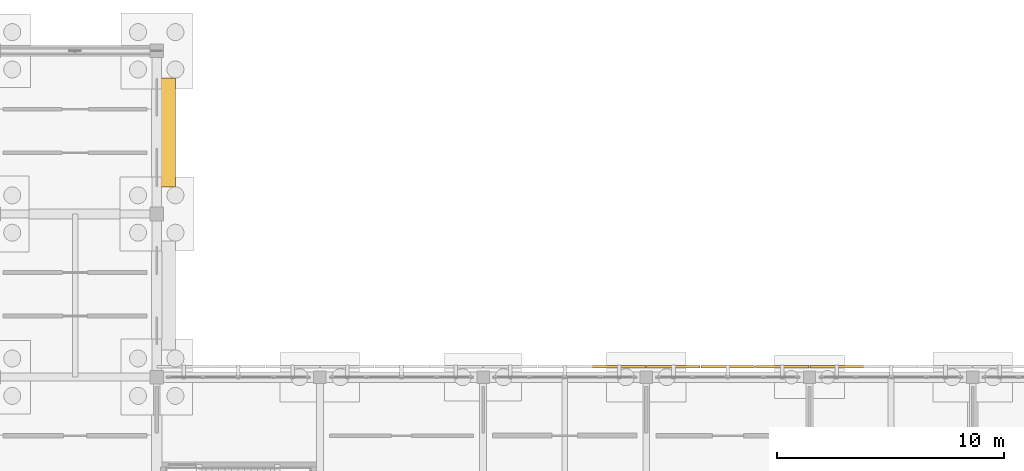
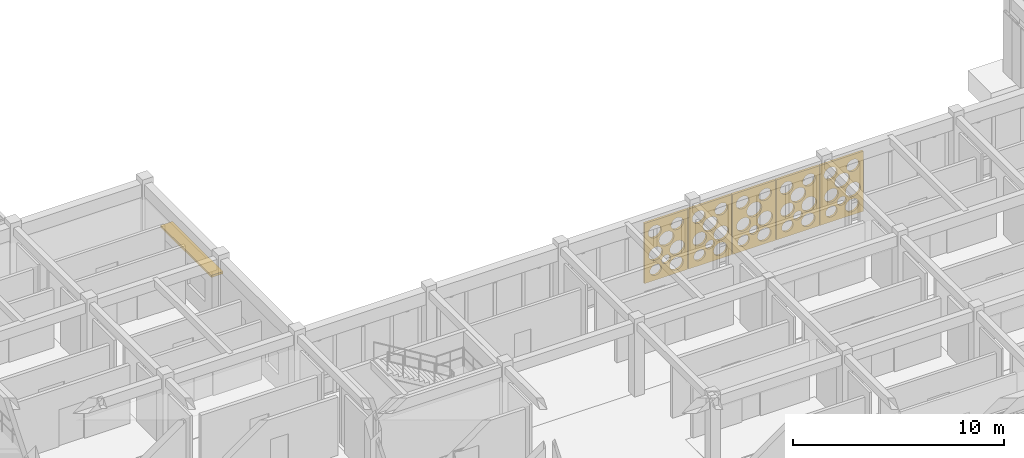
# One storey, part 104 of 111: 5 coverings, 1 shading device.
"""IFC4 building model written with IfcOpenShell, lengths in metres."""

from ifc_helpers import new_model, si_unit, direction, frame, origin, origin_2d, place, context, subcontext, project, spatial, polyline, rectangle, outline, extrude, material, layer, layer_set, type_object, element, save


model = new_model("IFC4")

# Units and contexts
model_context = context("Model", 3, precision=1e-05, world=origin(), true_north=direction((0.0, 1.0)))
body_context = subcontext(model_context, "Body", "Model", "MODEL_VIEW")
ifc_project = project(units=[si_unit("LENGTHUNIT", "METRE"), si_unit("AREAUNIT", "SQUARE_METRE"), si_unit("VOLUMEUNIT", "CUBIC_METRE"), si_unit("PLANEANGLEUNIT", "RADIAN"), si_unit("MASSUNIT", "GRAM", prefix="KILO")], contexts=[model_context])

# Site, building, storey
site_placement = place(None, origin())
site = spatial("IfcSite", under=ifc_project, at=site_placement, CompositionType="ELEMENT")
building_placement = place(site_placement, origin())
building = spatial("IfcBuilding", under=site, at=building_placement, Name="Aldebral Square Health Centre", CompositionType="ELEMENT")
storey_placement = place(building_placement, origin())
storey = spatial("IfcBuildingStorey", under=building, at=storey_placement, Name="L00", CompositionType="ELEMENT", Elevation=0.0)

# Coverings
ifc_material_1 = material(Name="Cream cantera perforated stone screen", Category="masonry")
ifc_layer = layer(ifc_material_1, 0.1201171875, Name="Cream cantera perforated stone screen", Category="masonry")
ifc_layer_set = layer_set([ifc_layer], Name="Cream cantera perforated stone screen")
covering_type = type_object("IfcCoveringType", Name="COV-SCR-120", PredefinedType="CLADDING", material=ifc_layer_set)
covering_1_placement = place(storey_placement, frame((86.3798828125, 101.260009765625, 0.0), z_axis=(0.0, 0.0, 1.0), x_axis=(-1.0, 0.0, 0.0)))
element("IfcCovering", 1, at=covering_1_placement, inside=storey, type_object=covering_type, Name="L00 V1 circular-aperture stone screen L00-V1-11-13-N.1", PredefinedType="CLADDING", context=body_context, shape_type="SweptSolid", body=[
    extrude(outline(polyline([(0.0, 0.0), (2.35986328125, 0.0), (2.35986328125, 3.469970703125), (0.0, 3.469970703125), (0.0, 0.0)]), holes=[polyline([(0.98486328125, 0.55517578125), (0.966552734375, 0.4404296875), (0.913818359375, 0.3369140625), (0.831787109375, 0.2548828125), (0.728271484375, 0.2021484375), (0.613525390625, 0.18408203125), (0.498779296875, 0.2021484375), (0.3955078125, 0.2548828125), (0.313232421875, 0.3369140625), (0.260498046875, 0.4404296875), (0.242431640625, 0.55517578125), (0.260498046875, 0.669921875), (0.313232421875, 0.7734375), (0.3955078125, 0.85546875), (0.498779296875, 0.908203125), (0.613525390625, 0.926513671875), (0.728271484375, 0.908203125), (0.831787109375, 0.85546875), (0.913818359375, 0.7734375), (0.966552734375, 0.669921875), (0.98486328125, 0.55517578125)]), polyline([(2.059326171875, 0.58984375), (2.0439453125, 0.4931640625), (1.99951171875, 0.406005859375), (1.930419921875, 0.336669921875), (1.843017578125, 0.292236328125), (1.746337890625, 0.277099609375), (1.649658203125, 0.292236328125), (1.5625, 0.336669921875), (1.4931640625, 0.406005859375), (1.44873046875, 0.4931640625), (1.43359375, 0.58984375), (1.44873046875, 0.6865234375), (1.4931640625, 0.77392578125), (1.5625, 0.843017578125), (1.649658203125, 0.887451171875), (1.746337890625, 0.90283203125), (1.843017578125, 0.887451171875), (1.930419921875, 0.843017578125), (1.99951171875, 0.77392578125), (2.0439453125, 0.6865234375), (2.059326171875, 0.58984375)]), polyline([(0.970703125, 1.45751953125), (0.950927734375, 1.33251953125), (0.8935546875, 1.2197265625), (0.803955078125, 1.13037109375), (0.69140625, 1.072998046875), (0.56640625, 1.052978515625), (0.44140625, 1.072998046875), (0.328857421875, 1.13037109375), (0.2392578125, 1.2197265625), (0.181884765625, 1.33251953125), (0.162109375, 1.45751953125), (0.181884765625, 1.582275390625), (0.2392578125, 1.695068359375), (0.328857421875, 1.784423828125), (0.44140625, 1.841796875), (0.56640625, 1.86181640625), (0.69140625, 1.841796875), (0.803955078125, 1.784423828125), (0.8935546875, 1.695068359375), (0.950927734375, 1.582275390625), (0.970703125, 1.45751953125)]), polyline([(2.124267578125, 1.52685546875), (2.105712890625, 1.41015625), (2.052001953125, 1.3046875), (1.968505859375, 1.22119140625), (1.863037109375, 1.16748046875), (1.746337890625, 1.14892578125), (1.629638671875, 1.16748046875), (1.5244140625, 1.22119140625), (1.440673828125, 1.3046875), (1.38720703125, 1.41015625), (1.36865234375, 1.52685546875), (1.38720703125, 1.6435546875), (1.440673828125, 1.748779296875), (1.5244140625, 1.83251953125), (1.629638671875, 1.88623046875), (1.746337890625, 1.904541015625), (1.863037109375, 1.88623046875), (1.968505859375, 1.83251953125), (2.052001953125, 1.748779296875), (2.105712890625, 1.6435546875), (2.124267578125, 1.52685546875)]), polyline([(1.42431640625, 1.00634765625), (1.412353515625, 0.9306640625), (1.377685546875, 0.862548828125), (1.32373046875, 0.80859375), (1.255615234375, 0.77392578125), (1.179931640625, 0.761962890625), (1.1044921875, 0.77392578125), (1.036376953125, 0.80859375), (0.982177734375, 0.862548828125), (0.947509765625, 0.9306640625), (0.935546875, 1.00634765625), (0.947509765625, 1.081787109375), (0.982177734375, 1.14990234375), (1.036376953125, 1.2041015625), (1.1044921875, 1.23876953125), (1.179931640625, 1.250732421875), (1.255615234375, 1.23876953125), (1.32373046875, 1.2041015625), (1.377685546875, 1.14990234375), (1.412353515625, 1.081787109375), (1.42431640625, 1.00634765625)]), polyline([(1.563232421875, 2.18603515625), (1.54345703125, 2.060302734375), (1.485595703125, 1.947021484375), (1.3955078125, 1.85693359375), (1.2822265625, 1.799072265625), (1.156494140625, 1.779296875), (1.03076171875, 1.799072265625), (0.917236328125, 1.85693359375), (0.8271484375, 1.947021484375), (0.76953125, 2.060302734375), (0.74951171875, 2.18603515625), (0.76953125, 2.311767578125), (0.8271484375, 2.42529296875), (0.917236328125, 2.515380859375), (1.03076171875, 2.572998046875), (1.156494140625, 2.593017578125), (1.2822265625, 2.572998046875), (1.3955078125, 2.515380859375), (1.485595703125, 2.42529296875), (1.54345703125, 2.311767578125), (1.563232421875, 2.18603515625)]), polyline([(0.9091796875, 2.845458984375), (0.892333984375, 2.739501953125), (0.84375, 2.64404296875), (0.767822265625, 2.568115234375), (0.67236328125, 2.51953125), (0.56640625, 2.502685546875), (0.46044921875, 2.51953125), (0.364990234375, 2.568115234375), (0.2890625, 2.64404296875), (0.240478515625, 2.739501953125), (0.2236328125, 2.845458984375), (0.240478515625, 2.951416015625), (0.2890625, 3.046875), (0.364990234375, 3.12255859375), (0.46044921875, 3.17138671875), (0.56640625, 3.18798828125), (0.67236328125, 3.17138671875), (0.767822265625, 3.12255859375), (0.84375, 3.046875), (0.892333984375, 2.951416015625), (0.9091796875, 2.845458984375)]), polyline([(2.1513671875, 2.810791015625), (2.1337890625, 2.7001953125), (2.0830078125, 2.600341796875), (2.00390625, 2.521240234375), (1.904052734375, 2.470458984375), (1.793701171875, 2.452880859375), (1.68310546875, 2.470458984375), (1.583251953125, 2.521240234375), (1.504150390625, 2.600341796875), (1.453369140625, 2.7001953125), (1.435791015625, 2.810791015625), (1.453369140625, 2.921142578125), (1.504150390625, 3.02099609375), (1.583251953125, 3.10009765625), (1.68310546875, 3.15087890625), (1.793701171875, 3.16845703125), (1.904052734375, 3.15087890625), (2.00390625, 3.10009765625), (2.0830078125, 3.02099609375), (2.1337890625, 2.921142578125), (2.1513671875, 2.810791015625)])]), frame((0.0, 0.06005859375, 0.0), z_axis=(0.0, -1.0, 0.0), x_axis=(1.0, 0.0, 0.0)), (0.0, 0.0, 1.0), 0.1201171875),
])
covering_2_placement = place(storey_placement, frame((93.580078125, 101.260009765625, 0.0), z_axis=(0.0, 0.0, 1.0), x_axis=(-1.0, 0.0, 0.0)))
element("IfcCovering", 2, at=covering_2_placement, inside=storey, type_object=covering_type, Name="L00 V1 circular-aperture stone screen L00-V1-12-13-N.1", PredefinedType="CLADDING", context=body_context, shape_type="SweptSolid", body=[
    extrude(outline(polyline([(0.0, 0.0), (2.360107421875, 0.0), (2.360107421875, 3.469970703125), (0.0, 3.469970703125), (0.0, 0.0)]), holes=[polyline([(0.98486328125, 0.55517578125), (0.966552734375, 0.4404296875), (0.913818359375, 0.3369140625), (0.831787109375, 0.2548828125), (0.728271484375, 0.2021484375), (0.613525390625, 0.18408203125), (0.498779296875, 0.2021484375), (0.3955078125, 0.2548828125), (0.313232421875, 0.3369140625), (0.260498046875, 0.4404296875), (0.242431640625, 0.55517578125), (0.260498046875, 0.669921875), (0.313232421875, 0.7734375), (0.3955078125, 0.85546875), (0.498779296875, 0.908203125), (0.613525390625, 0.926513671875), (0.728271484375, 0.908203125), (0.831787109375, 0.85546875), (0.913818359375, 0.7734375), (0.966552734375, 0.669921875), (0.98486328125, 0.55517578125)]), polyline([(2.059326171875, 0.58984375), (2.0439453125, 0.4931640625), (1.99951171875, 0.406005859375), (1.930419921875, 0.336669921875), (1.843017578125, 0.292236328125), (1.746337890625, 0.277099609375), (1.649658203125, 0.292236328125), (1.5625, 0.336669921875), (1.4931640625, 0.406005859375), (1.44873046875, 0.4931640625), (1.43359375, 0.58984375), (1.44873046875, 0.6865234375), (1.4931640625, 0.77392578125), (1.5625, 0.843017578125), (1.649658203125, 0.887451171875), (1.746337890625, 0.90283203125), (1.843017578125, 0.887451171875), (1.930419921875, 0.843017578125), (1.99951171875, 0.77392578125), (2.0439453125, 0.6865234375), (2.059326171875, 0.58984375)]), polyline([(0.970703125, 1.45751953125), (0.950927734375, 1.33251953125), (0.8935546875, 1.2197265625), (0.803955078125, 1.13037109375), (0.69140625, 1.072998046875), (0.56640625, 1.052978515625), (0.44140625, 1.072998046875), (0.328857421875, 1.13037109375), (0.2392578125, 1.2197265625), (0.181884765625, 1.33251953125), (0.162109375, 1.45751953125), (0.181884765625, 1.582275390625), (0.2392578125, 1.695068359375), (0.328857421875, 1.784423828125), (0.44140625, 1.841796875), (0.56640625, 1.86181640625), (0.69140625, 1.841796875), (0.803955078125, 1.784423828125), (0.8935546875, 1.695068359375), (0.950927734375, 1.582275390625), (0.970703125, 1.45751953125)]), polyline([(2.124267578125, 1.52685546875), (2.105712890625, 1.41015625), (2.052001953125, 1.3046875), (1.968505859375, 1.22119140625), (1.863037109375, 1.16748046875), (1.746337890625, 1.14892578125), (1.629638671875, 1.16748046875), (1.5244140625, 1.22119140625), (1.440673828125, 1.3046875), (1.38720703125, 1.41015625), (1.36865234375, 1.52685546875), (1.38720703125, 1.6435546875), (1.440673828125, 1.748779296875), (1.5244140625, 1.83251953125), (1.629638671875, 1.88623046875), (1.746337890625, 1.904541015625), (1.863037109375, 1.88623046875), (1.968505859375, 1.83251953125), (2.052001953125, 1.748779296875), (2.105712890625, 1.6435546875), (2.124267578125, 1.52685546875)]), polyline([(1.42431640625, 1.00634765625), (1.412353515625, 0.9306640625), (1.377685546875, 0.862548828125), (1.32373046875, 0.80859375), (1.255615234375, 0.77392578125), (1.179931640625, 0.761962890625), (1.1044921875, 0.77392578125), (1.036376953125, 0.80859375), (0.982177734375, 0.862548828125), (0.947509765625, 0.9306640625), (0.935546875, 1.00634765625), (0.947509765625, 1.081787109375), (0.982177734375, 1.14990234375), (1.036376953125, 1.2041015625), (1.1044921875, 1.23876953125), (1.179931640625, 1.250732421875), (1.255615234375, 1.23876953125), (1.32373046875, 1.2041015625), (1.377685546875, 1.14990234375), (1.412353515625, 1.081787109375), (1.42431640625, 1.00634765625)]), polyline([(1.563232421875, 2.18603515625), (1.54345703125, 2.060302734375), (1.485595703125, 1.947021484375), (1.3955078125, 1.85693359375), (1.2822265625, 1.799072265625), (1.156494140625, 1.779296875), (1.03076171875, 1.799072265625), (0.917236328125, 1.85693359375), (0.8271484375, 1.947021484375), (0.76953125, 2.060302734375), (0.74951171875, 2.18603515625), (0.76953125, 2.311767578125), (0.8271484375, 2.42529296875), (0.917236328125, 2.515380859375), (1.03076171875, 2.572998046875), (1.156494140625, 2.593017578125), (1.2822265625, 2.572998046875), (1.3955078125, 2.515380859375), (1.485595703125, 2.42529296875), (1.54345703125, 2.311767578125), (1.563232421875, 2.18603515625)]), polyline([(0.9091796875, 2.845458984375), (0.892333984375, 2.739501953125), (0.84375, 2.64404296875), (0.767822265625, 2.568115234375), (0.67236328125, 2.51953125), (0.56640625, 2.502685546875), (0.46044921875, 2.51953125), (0.364990234375, 2.568115234375), (0.2890625, 2.64404296875), (0.240478515625, 2.739501953125), (0.2236328125, 2.845458984375), (0.240478515625, 2.951416015625), (0.2890625, 3.046875), (0.364990234375, 3.12255859375), (0.46044921875, 3.17138671875), (0.56640625, 3.18798828125), (0.67236328125, 3.17138671875), (0.767822265625, 3.12255859375), (0.84375, 3.046875), (0.892333984375, 2.951416015625), (0.9091796875, 2.845458984375)]), polyline([(2.1513671875, 2.810791015625), (2.1337890625, 2.7001953125), (2.0830078125, 2.600341796875), (2.00390625, 2.521240234375), (1.904052734375, 2.470458984375), (1.793701171875, 2.452880859375), (1.68310546875, 2.470458984375), (1.583251953125, 2.521240234375), (1.504150390625, 2.600341796875), (1.453369140625, 2.7001953125), (1.435791015625, 2.810791015625), (1.453369140625, 2.921142578125), (1.504150390625, 3.02099609375), (1.583251953125, 3.10009765625), (1.68310546875, 3.15087890625), (1.793701171875, 3.16845703125), (1.904052734375, 3.15087890625), (2.00390625, 3.10009765625), (2.0830078125, 3.02099609375), (2.1337890625, 2.921142578125), (2.1513671875, 2.810791015625)])]), frame((0.0, 0.06005859375, 0.0), z_axis=(0.0, -1.0, 0.0), x_axis=(1.0, 0.0, 0.0)), (0.0, 0.0, 1.0), 0.1201171875),
])
covering_3_placement = place(storey_placement, frame((91.179931640625, 101.260009765625, 0.0), z_axis=(0.0, 0.0, 1.0), x_axis=(-1.0, 0.0, 0.0)))
element("IfcCovering", 3, at=covering_3_placement, inside=storey, type_object=covering_type, Name="L00 V1 circular-aperture stone screen L00-V1-12-13-N.2", PredefinedType="CLADDING", context=body_context, shape_type="SweptSolid", body=[
    extrude(outline(polyline([(0.0, 0.0), (2.35986328125, 0.0), (2.35986328125, 3.469970703125), (0.0, 3.469970703125), (0.0, 0.0)]), holes=[polyline([(0.98486328125, 0.55517578125), (0.966552734375, 0.4404296875), (0.913818359375, 0.3369140625), (0.831787109375, 0.2548828125), (0.728271484375, 0.2021484375), (0.613525390625, 0.18408203125), (0.498779296875, 0.2021484375), (0.3955078125, 0.2548828125), (0.313232421875, 0.3369140625), (0.260498046875, 0.4404296875), (0.242431640625, 0.55517578125), (0.260498046875, 0.669921875), (0.313232421875, 0.7734375), (0.3955078125, 0.85546875), (0.498779296875, 0.908203125), (0.613525390625, 0.926513671875), (0.728271484375, 0.908203125), (0.831787109375, 0.85546875), (0.913818359375, 0.7734375), (0.966552734375, 0.669921875), (0.98486328125, 0.55517578125)]), polyline([(2.059326171875, 0.58984375), (2.0439453125, 0.4931640625), (1.99951171875, 0.406005859375), (1.930419921875, 0.336669921875), (1.843017578125, 0.292236328125), (1.746337890625, 0.277099609375), (1.649658203125, 0.292236328125), (1.5625, 0.336669921875), (1.4931640625, 0.406005859375), (1.44873046875, 0.4931640625), (1.43359375, 0.58984375), (1.44873046875, 0.6865234375), (1.4931640625, 0.77392578125), (1.5625, 0.843017578125), (1.649658203125, 0.887451171875), (1.746337890625, 0.90283203125), (1.843017578125, 0.887451171875), (1.930419921875, 0.843017578125), (1.99951171875, 0.77392578125), (2.0439453125, 0.6865234375), (2.059326171875, 0.58984375)]), polyline([(0.970703125, 1.45751953125), (0.950927734375, 1.33251953125), (0.8935546875, 1.2197265625), (0.803955078125, 1.13037109375), (0.69140625, 1.072998046875), (0.56640625, 1.052978515625), (0.44140625, 1.072998046875), (0.328857421875, 1.13037109375), (0.2392578125, 1.2197265625), (0.181884765625, 1.33251953125), (0.162109375, 1.45751953125), (0.181884765625, 1.582275390625), (0.2392578125, 1.695068359375), (0.328857421875, 1.784423828125), (0.44140625, 1.841796875), (0.56640625, 1.86181640625), (0.69140625, 1.841796875), (0.803955078125, 1.784423828125), (0.8935546875, 1.695068359375), (0.950927734375, 1.582275390625), (0.970703125, 1.45751953125)]), polyline([(2.124267578125, 1.52685546875), (2.105712890625, 1.41015625), (2.052001953125, 1.3046875), (1.968505859375, 1.22119140625), (1.863037109375, 1.16748046875), (1.746337890625, 1.14892578125), (1.629638671875, 1.16748046875), (1.5244140625, 1.22119140625), (1.440673828125, 1.3046875), (1.38720703125, 1.41015625), (1.36865234375, 1.52685546875), (1.38720703125, 1.6435546875), (1.440673828125, 1.748779296875), (1.5244140625, 1.83251953125), (1.629638671875, 1.88623046875), (1.746337890625, 1.904541015625), (1.863037109375, 1.88623046875), (1.968505859375, 1.83251953125), (2.052001953125, 1.748779296875), (2.105712890625, 1.6435546875), (2.124267578125, 1.52685546875)]), polyline([(1.42431640625, 1.00634765625), (1.412353515625, 0.9306640625), (1.377685546875, 0.862548828125), (1.32373046875, 0.80859375), (1.255615234375, 0.77392578125), (1.179931640625, 0.761962890625), (1.1044921875, 0.77392578125), (1.036376953125, 0.80859375), (0.982177734375, 0.862548828125), (0.947509765625, 0.9306640625), (0.935546875, 1.00634765625), (0.947509765625, 1.081787109375), (0.982177734375, 1.14990234375), (1.036376953125, 1.2041015625), (1.1044921875, 1.23876953125), (1.179931640625, 1.250732421875), (1.255615234375, 1.23876953125), (1.32373046875, 1.2041015625), (1.377685546875, 1.14990234375), (1.412353515625, 1.081787109375), (1.42431640625, 1.00634765625)]), polyline([(1.563232421875, 2.18603515625), (1.54345703125, 2.060302734375), (1.485595703125, 1.947021484375), (1.3955078125, 1.85693359375), (1.2822265625, 1.799072265625), (1.156494140625, 1.779296875), (1.03076171875, 1.799072265625), (0.917236328125, 1.85693359375), (0.8271484375, 1.947021484375), (0.76953125, 2.060302734375), (0.74951171875, 2.18603515625), (0.76953125, 2.311767578125), (0.8271484375, 2.42529296875), (0.917236328125, 2.515380859375), (1.03076171875, 2.572998046875), (1.156494140625, 2.593017578125), (1.2822265625, 2.572998046875), (1.3955078125, 2.515380859375), (1.485595703125, 2.42529296875), (1.54345703125, 2.311767578125), (1.563232421875, 2.18603515625)]), polyline([(0.9091796875, 2.845458984375), (0.892333984375, 2.739501953125), (0.84375, 2.64404296875), (0.767822265625, 2.568115234375), (0.67236328125, 2.51953125), (0.56640625, 2.502685546875), (0.46044921875, 2.51953125), (0.364990234375, 2.568115234375), (0.2890625, 2.64404296875), (0.240478515625, 2.739501953125), (0.2236328125, 2.845458984375), (0.240478515625, 2.951416015625), (0.2890625, 3.046875), (0.364990234375, 3.12255859375), (0.46044921875, 3.17138671875), (0.56640625, 3.18798828125), (0.67236328125, 3.17138671875), (0.767822265625, 3.12255859375), (0.84375, 3.046875), (0.892333984375, 2.951416015625), (0.9091796875, 2.845458984375)]), polyline([(2.1513671875, 2.810791015625), (2.1337890625, 2.7001953125), (2.0830078125, 2.600341796875), (2.00390625, 2.521240234375), (1.904052734375, 2.470458984375), (1.793701171875, 2.452880859375), (1.68310546875, 2.470458984375), (1.583251953125, 2.521240234375), (1.504150390625, 2.600341796875), (1.453369140625, 2.7001953125), (1.435791015625, 2.810791015625), (1.453369140625, 2.921142578125), (1.504150390625, 3.02099609375), (1.583251953125, 3.10009765625), (1.68310546875, 3.15087890625), (1.793701171875, 3.16845703125), (1.904052734375, 3.15087890625), (2.00390625, 3.10009765625), (2.0830078125, 3.02099609375), (2.1337890625, 2.921142578125), (2.1513671875, 2.810791015625)])]), frame((0.0, 0.06005859375, 0.0), z_axis=(0.0, -1.0, 0.0), x_axis=(1.0, 0.0, 0.0)), (0.0, 0.0, 1.0), 0.1201171875),
])
covering_4_placement = place(storey_placement, frame((88.780029296875, 101.260009765625, 0.0), z_axis=(0.0, 0.0, 1.0), x_axis=(-1.0, 0.0, 0.0)))
element("IfcCovering", 4, at=covering_4_placement, inside=storey, type_object=covering_type, Name="L00 V1 circular-aperture stone screen L00-V1-12-13-N.3", PredefinedType="CLADDING", context=body_context, shape_type="SweptSolid", body=[
    extrude(outline(polyline([(0.0, 0.0), (2.360107421875, 0.0), (2.360107421875, 3.469970703125), (0.0, 3.469970703125), (0.0, 0.0)]), holes=[polyline([(0.98486328125, 0.55517578125), (0.966552734375, 0.4404296875), (0.913818359375, 0.3369140625), (0.831787109375, 0.2548828125), (0.728271484375, 0.2021484375), (0.613525390625, 0.18408203125), (0.498779296875, 0.2021484375), (0.3955078125, 0.2548828125), (0.313232421875, 0.3369140625), (0.260498046875, 0.4404296875), (0.242431640625, 0.55517578125), (0.260498046875, 0.669921875), (0.313232421875, 0.7734375), (0.3955078125, 0.85546875), (0.498779296875, 0.908203125), (0.613525390625, 0.926513671875), (0.728271484375, 0.908203125), (0.831787109375, 0.85546875), (0.913818359375, 0.7734375), (0.966552734375, 0.669921875), (0.98486328125, 0.55517578125)]), polyline([(2.059326171875, 0.58984375), (2.0439453125, 0.4931640625), (1.99951171875, 0.406005859375), (1.930419921875, 0.336669921875), (1.843017578125, 0.292236328125), (1.746337890625, 0.277099609375), (1.649658203125, 0.292236328125), (1.5625, 0.336669921875), (1.4931640625, 0.406005859375), (1.44873046875, 0.4931640625), (1.43359375, 0.58984375), (1.44873046875, 0.6865234375), (1.4931640625, 0.77392578125), (1.5625, 0.843017578125), (1.649658203125, 0.887451171875), (1.746337890625, 0.90283203125), (1.843017578125, 0.887451171875), (1.930419921875, 0.843017578125), (1.99951171875, 0.77392578125), (2.0439453125, 0.6865234375), (2.059326171875, 0.58984375)]), polyline([(0.970703125, 1.45751953125), (0.950927734375, 1.33251953125), (0.8935546875, 1.2197265625), (0.803955078125, 1.13037109375), (0.69140625, 1.072998046875), (0.56640625, 1.052978515625), (0.44140625, 1.072998046875), (0.328857421875, 1.13037109375), (0.2392578125, 1.2197265625), (0.181884765625, 1.33251953125), (0.162109375, 1.45751953125), (0.181884765625, 1.582275390625), (0.2392578125, 1.695068359375), (0.328857421875, 1.784423828125), (0.44140625, 1.841796875), (0.56640625, 1.86181640625), (0.69140625, 1.841796875), (0.803955078125, 1.784423828125), (0.8935546875, 1.695068359375), (0.950927734375, 1.582275390625), (0.970703125, 1.45751953125)]), polyline([(2.124267578125, 1.52685546875), (2.105712890625, 1.41015625), (2.052001953125, 1.3046875), (1.968505859375, 1.22119140625), (1.863037109375, 1.16748046875), (1.746337890625, 1.14892578125), (1.629638671875, 1.16748046875), (1.5244140625, 1.22119140625), (1.440673828125, 1.3046875), (1.38720703125, 1.41015625), (1.36865234375, 1.52685546875), (1.38720703125, 1.6435546875), (1.440673828125, 1.748779296875), (1.5244140625, 1.83251953125), (1.629638671875, 1.88623046875), (1.746337890625, 1.904541015625), (1.863037109375, 1.88623046875), (1.968505859375, 1.83251953125), (2.052001953125, 1.748779296875), (2.105712890625, 1.6435546875), (2.124267578125, 1.52685546875)]), polyline([(1.42431640625, 1.00634765625), (1.412353515625, 0.9306640625), (1.377685546875, 0.862548828125), (1.32373046875, 0.80859375), (1.255615234375, 0.77392578125), (1.179931640625, 0.761962890625), (1.1044921875, 0.77392578125), (1.036376953125, 0.80859375), (0.982177734375, 0.862548828125), (0.947509765625, 0.9306640625), (0.935546875, 1.00634765625), (0.947509765625, 1.081787109375), (0.982177734375, 1.14990234375), (1.036376953125, 1.2041015625), (1.1044921875, 1.23876953125), (1.179931640625, 1.250732421875), (1.255615234375, 1.23876953125), (1.32373046875, 1.2041015625), (1.377685546875, 1.14990234375), (1.412353515625, 1.081787109375), (1.42431640625, 1.00634765625)]), polyline([(1.563232421875, 2.18603515625), (1.54345703125, 2.060302734375), (1.485595703125, 1.947021484375), (1.3955078125, 1.85693359375), (1.2822265625, 1.799072265625), (1.156494140625, 1.779296875), (1.03076171875, 1.799072265625), (0.917236328125, 1.85693359375), (0.8271484375, 1.947021484375), (0.76953125, 2.060302734375), (0.74951171875, 2.18603515625), (0.76953125, 2.311767578125), (0.8271484375, 2.42529296875), (0.917236328125, 2.515380859375), (1.03076171875, 2.572998046875), (1.156494140625, 2.593017578125), (1.2822265625, 2.572998046875), (1.3955078125, 2.515380859375), (1.485595703125, 2.42529296875), (1.54345703125, 2.311767578125), (1.563232421875, 2.18603515625)]), polyline([(0.9091796875, 2.845458984375), (0.892333984375, 2.739501953125), (0.84375, 2.64404296875), (0.767822265625, 2.568115234375), (0.67236328125, 2.51953125), (0.56640625, 2.502685546875), (0.46044921875, 2.51953125), (0.364990234375, 2.568115234375), (0.2890625, 2.64404296875), (0.240478515625, 2.739501953125), (0.2236328125, 2.845458984375), (0.240478515625, 2.951416015625), (0.2890625, 3.046875), (0.364990234375, 3.12255859375), (0.46044921875, 3.17138671875), (0.56640625, 3.18798828125), (0.67236328125, 3.17138671875), (0.767822265625, 3.12255859375), (0.84375, 3.046875), (0.892333984375, 2.951416015625), (0.9091796875, 2.845458984375)]), polyline([(2.1513671875, 2.810791015625), (2.1337890625, 2.7001953125), (2.0830078125, 2.600341796875), (2.00390625, 2.521240234375), (1.904052734375, 2.470458984375), (1.793701171875, 2.452880859375), (1.68310546875, 2.470458984375), (1.583251953125, 2.521240234375), (1.504150390625, 2.600341796875), (1.453369140625, 2.7001953125), (1.435791015625, 2.810791015625), (1.453369140625, 2.921142578125), (1.504150390625, 3.02099609375), (1.583251953125, 3.10009765625), (1.68310546875, 3.15087890625), (1.793701171875, 3.16845703125), (1.904052734375, 3.15087890625), (2.00390625, 3.10009765625), (2.0830078125, 3.02099609375), (2.1337890625, 2.921142578125), (2.1513671875, 2.810791015625)])]), frame((0.0, 0.06005859375, 0.0), z_axis=(0.0, -1.0, 0.0), x_axis=(1.0, 0.0, 0.0)), (0.0, 0.0, 1.0), 0.1201171875),
])
covering_5_placement = place(storey_placement, frame((95.97998046875, 101.260009765625, 0.0), z_axis=(0.0, 0.0, 1.0), x_axis=(-1.0, 0.0, 0.0)))
element("IfcCovering", 5, at=covering_5_placement, inside=storey, type_object=covering_type, Name="L00 V1 circular-aperture stone screen L00-V1-13-13-N.3", PredefinedType="CLADDING", context=body_context, shape_type="SweptSolid", body=[
    extrude(outline(polyline([(0.0, 0.0), (2.35986328125, 0.0), (2.35986328125, 3.469970703125), (0.0, 3.469970703125), (0.0, 0.0)]), holes=[polyline([(0.98486328125, 0.55517578125), (0.966552734375, 0.4404296875), (0.913818359375, 0.3369140625), (0.831787109375, 0.2548828125), (0.728271484375, 0.2021484375), (0.613525390625, 0.18408203125), (0.498779296875, 0.2021484375), (0.3955078125, 0.2548828125), (0.313232421875, 0.3369140625), (0.260498046875, 0.4404296875), (0.242431640625, 0.55517578125), (0.260498046875, 0.669921875), (0.313232421875, 0.7734375), (0.3955078125, 0.85546875), (0.498779296875, 0.908203125), (0.613525390625, 0.926513671875), (0.728271484375, 0.908203125), (0.831787109375, 0.85546875), (0.913818359375, 0.7734375), (0.966552734375, 0.669921875), (0.98486328125, 0.55517578125)]), polyline([(2.059326171875, 0.58984375), (2.0439453125, 0.4931640625), (1.99951171875, 0.406005859375), (1.930419921875, 0.336669921875), (1.843017578125, 0.292236328125), (1.746337890625, 0.277099609375), (1.649658203125, 0.292236328125), (1.5625, 0.336669921875), (1.4931640625, 0.406005859375), (1.44873046875, 0.4931640625), (1.43359375, 0.58984375), (1.44873046875, 0.6865234375), (1.4931640625, 0.77392578125), (1.5625, 0.843017578125), (1.649658203125, 0.887451171875), (1.746337890625, 0.90283203125), (1.843017578125, 0.887451171875), (1.930419921875, 0.843017578125), (1.99951171875, 0.77392578125), (2.0439453125, 0.6865234375), (2.059326171875, 0.58984375)]), polyline([(0.970703125, 1.45751953125), (0.950927734375, 1.33251953125), (0.8935546875, 1.2197265625), (0.803955078125, 1.13037109375), (0.69140625, 1.072998046875), (0.56640625, 1.052978515625), (0.44140625, 1.072998046875), (0.328857421875, 1.13037109375), (0.2392578125, 1.2197265625), (0.181884765625, 1.33251953125), (0.162109375, 1.45751953125), (0.181884765625, 1.582275390625), (0.2392578125, 1.695068359375), (0.328857421875, 1.784423828125), (0.44140625, 1.841796875), (0.56640625, 1.86181640625), (0.69140625, 1.841796875), (0.803955078125, 1.784423828125), (0.8935546875, 1.695068359375), (0.950927734375, 1.582275390625), (0.970703125, 1.45751953125)]), polyline([(2.124267578125, 1.52685546875), (2.105712890625, 1.41015625), (2.052001953125, 1.3046875), (1.968505859375, 1.22119140625), (1.863037109375, 1.16748046875), (1.746337890625, 1.14892578125), (1.629638671875, 1.16748046875), (1.5244140625, 1.22119140625), (1.440673828125, 1.3046875), (1.38720703125, 1.41015625), (1.36865234375, 1.52685546875), (1.38720703125, 1.6435546875), (1.440673828125, 1.748779296875), (1.5244140625, 1.83251953125), (1.629638671875, 1.88623046875), (1.746337890625, 1.904541015625), (1.863037109375, 1.88623046875), (1.968505859375, 1.83251953125), (2.052001953125, 1.748779296875), (2.105712890625, 1.6435546875), (2.124267578125, 1.52685546875)]), polyline([(1.42431640625, 1.00634765625), (1.412353515625, 0.9306640625), (1.377685546875, 0.862548828125), (1.32373046875, 0.80859375), (1.255615234375, 0.77392578125), (1.179931640625, 0.761962890625), (1.1044921875, 0.77392578125), (1.036376953125, 0.80859375), (0.982177734375, 0.862548828125), (0.947509765625, 0.9306640625), (0.935546875, 1.00634765625), (0.947509765625, 1.081787109375), (0.982177734375, 1.14990234375), (1.036376953125, 1.2041015625), (1.1044921875, 1.23876953125), (1.179931640625, 1.250732421875), (1.255615234375, 1.23876953125), (1.32373046875, 1.2041015625), (1.377685546875, 1.14990234375), (1.412353515625, 1.081787109375), (1.42431640625, 1.00634765625)]), polyline([(1.563232421875, 2.18603515625), (1.54345703125, 2.060302734375), (1.485595703125, 1.947021484375), (1.3955078125, 1.85693359375), (1.2822265625, 1.799072265625), (1.156494140625, 1.779296875), (1.03076171875, 1.799072265625), (0.917236328125, 1.85693359375), (0.8271484375, 1.947021484375), (0.76953125, 2.060302734375), (0.74951171875, 2.18603515625), (0.76953125, 2.311767578125), (0.8271484375, 2.42529296875), (0.917236328125, 2.515380859375), (1.03076171875, 2.572998046875), (1.156494140625, 2.593017578125), (1.2822265625, 2.572998046875), (1.3955078125, 2.515380859375), (1.485595703125, 2.42529296875), (1.54345703125, 2.311767578125), (1.563232421875, 2.18603515625)]), polyline([(0.9091796875, 2.845458984375), (0.892333984375, 2.739501953125), (0.84375, 2.64404296875), (0.767822265625, 2.568115234375), (0.67236328125, 2.51953125), (0.56640625, 2.502685546875), (0.46044921875, 2.51953125), (0.364990234375, 2.568115234375), (0.2890625, 2.64404296875), (0.240478515625, 2.739501953125), (0.2236328125, 2.845458984375), (0.240478515625, 2.951416015625), (0.2890625, 3.046875), (0.364990234375, 3.12255859375), (0.46044921875, 3.17138671875), (0.56640625, 3.18798828125), (0.67236328125, 3.17138671875), (0.767822265625, 3.12255859375), (0.84375, 3.046875), (0.892333984375, 2.951416015625), (0.9091796875, 2.845458984375)]), polyline([(2.1513671875, 2.810791015625), (2.1337890625, 2.7001953125), (2.0830078125, 2.600341796875), (2.00390625, 2.521240234375), (1.904052734375, 2.470458984375), (1.793701171875, 2.452880859375), (1.68310546875, 2.470458984375), (1.583251953125, 2.521240234375), (1.504150390625, 2.600341796875), (1.453369140625, 2.7001953125), (1.435791015625, 2.810791015625), (1.453369140625, 2.921142578125), (1.504150390625, 3.02099609375), (1.583251953125, 3.10009765625), (1.68310546875, 3.15087890625), (1.793701171875, 3.16845703125), (1.904052734375, 3.15087890625), (2.00390625, 3.10009765625), (2.0830078125, 3.02099609375), (2.1337890625, 2.921142578125), (2.1513671875, 2.810791015625)])]), frame((0.0, 0.06005859375, 0.0), z_axis=(0.0, -1.0, 0.0), x_axis=(1.0, 0.0, 0.0)), (0.0, 0.0, 1.0), 0.1201171875),
])

# Shading device
ifc_material_2 = material(Name="Sienna-terracotta solar hood", Category="masonry")
shading_device_type = type_object("IfcShadingDeviceType", Name="SHD-LVR-1", PredefinedType="JALOUSIE", material=ifc_material_2)
shading_device_placement = place(storey_placement, frame((65.294921875, 111.60009765625, 2.169921875), z_axis=(0.0, 0.0, 1.0), x_axis=(0.0, 1.0, 0.0)))
element("IfcShadingDevice", 6, at=shading_device_placement, inside=storey, type_object=shading_device_type, Name="L00 solar hood L00-V2-08-15-E", PredefinedType="JALOUSIE", context=body_context, shape_type="SweptSolid", body=[
    extrude(rectangle(XDim=4.800048828125, YDim=0.64990234375, at=origin_2d()), origin(), (0.0, 0.0, 1.0), 0.1201171875),
])

save(model, "model.ifc")
